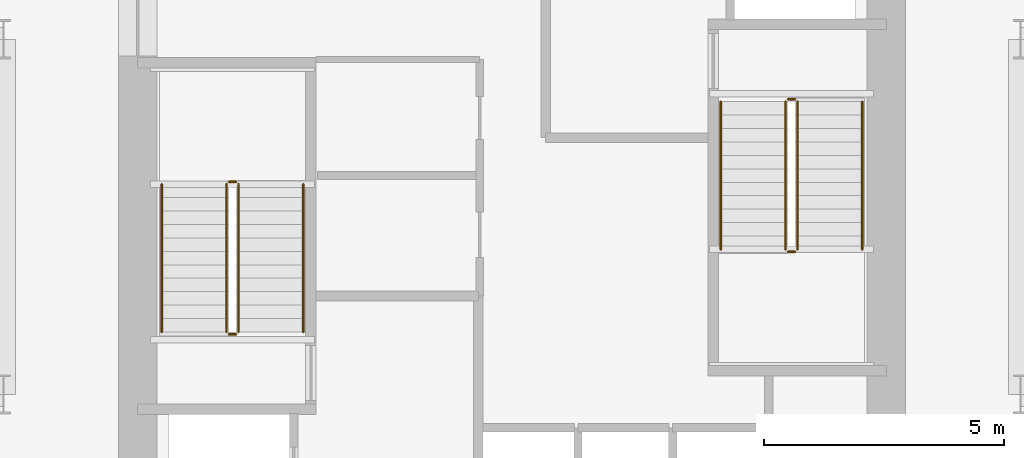
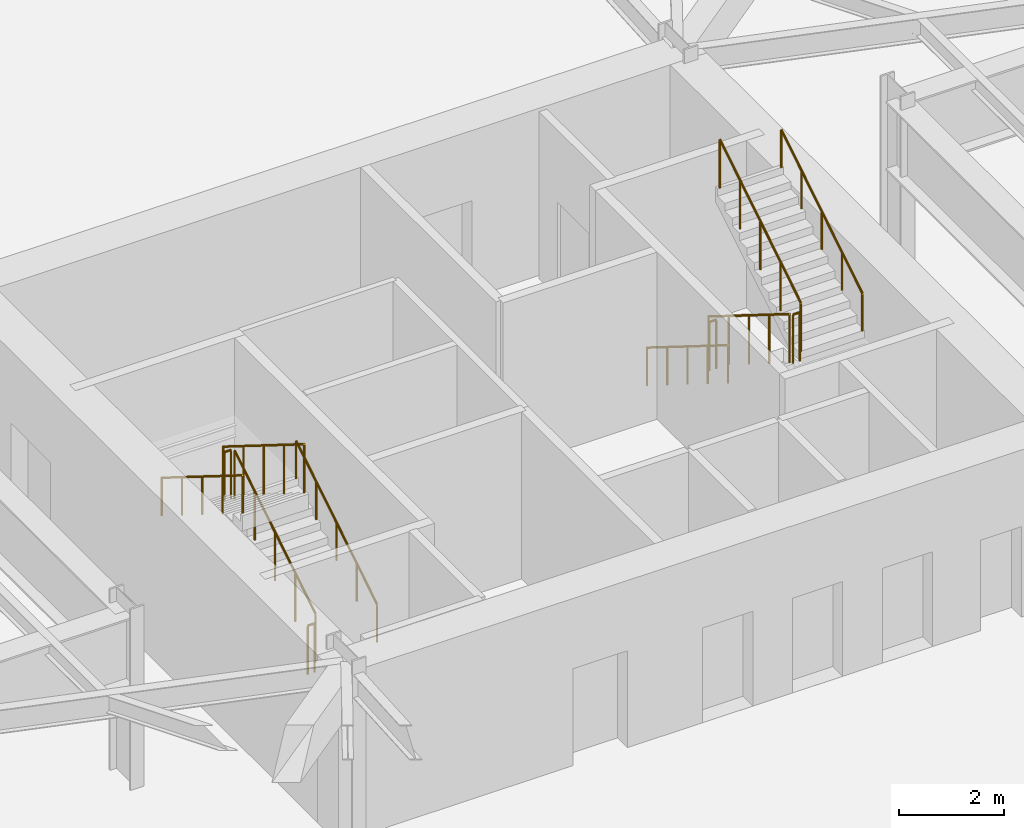
# One storey, part 10 of 12: 12 railings.
"""IFC4 building model written with IfcOpenShell, lengths in metres."""

from ifc_helpers import new_model, si_unit, direction, frame, origin, origin_2d, place, context, subcontext, project, spatial, circle, extrude, material, type_object, element, save


model = new_model("IFC4")

# Units and contexts
model_context = context("Model", 3, precision=1e-05, world=origin(), true_north=direction((0.0, 1.0)))
body_context = subcontext(model_context, "Body", "Model", "MODEL_VIEW")
ifc_project = project(units=[si_unit("LENGTHUNIT", "METRE"), si_unit("AREAUNIT", "SQUARE_METRE"), si_unit("VOLUMEUNIT", "CUBIC_METRE"), si_unit("PLANEANGLEUNIT", "RADIAN"), si_unit("MASSUNIT", "GRAM", prefix="KILO")], contexts=[model_context])

# Site, building, storey
site_placement = place(None, origin())
site = spatial("IfcSite", under=ifc_project, at=site_placement, CompositionType="ELEMENT")
building_placement = place(site_placement, origin())
building = spatial("IfcBuilding", under=site, at=building_placement, Name="Kranzbogen Civic Tower", CompositionType="ELEMENT")
storey_placement = place(building_placement, frame((0.0, 0.0, -4.199951171875)))
storey = spatial("IfcBuildingStorey", under=building, at=storey_placement, Name="B01", CompositionType="ELEMENT", Elevation=-4.199951171875)

# Railings
ifc_material_1 = material(Name="Steel S355", Category="steel")
railing_type_1 = type_object("IfcRailingType", Name="Internal Stair and Void Steel Guardrail 1150", PredefinedType="GUARDRAIL", material=ifc_material_1)
railing_1_placement = place(storey_placement, frame((19.300048828125, 22.60009765625, 0.175048828125)))
element("IfcRailing", 1, at=railing_1_placement, inside=storey, type_object=railing_type_1, Name="B01 ST-T1 stair guard 1", PredefinedType="GUARDRAIL", context=body_context, shape_type="SweptSolid", body=[
    extrude(circle(Radius=0.02392578125, at=origin_2d()), frame((0.0, 0.0, 1.1259765625), z_axis=(0.0, 0.848009633417, 0.529980812513), x_axis=(-1.0, 0.0, 0.0)), (0.0, 0.0, 1.0), 3.6318359375),
    extrude(circle(Radius=0.02099609375, at=origin_2d()), origin(), (0.0, 0.0, 1.0), 1.101806640625),
    extrude(circle(Radius=0.02099609375, at=origin_2d()), frame((0.0, 0.77001953125, 0.481201171875)), (0.0, 0.0, 1.0), 1.101806640625),
    extrude(circle(Radius=0.02099609375, at=origin_2d()), frame((0.0, 1.5400390625, 0.96240234375)), (0.0, 0.0, 1.0), 1.101806640625),
    extrude(circle(Radius=0.02099609375, at=origin_2d()), frame((0.0, 2.309814453125, 1.443603515625)), (0.0, 0.0, 1.0), 1.101806640625),
    extrude(circle(Radius=0.02099609375, at=origin_2d()), frame((0.0, 3.079833984375, 1.9248046875)), (0.0, 0.0, 1.0), 1.101806640625),
])
railing_2_placement = place(storey_placement, frame((19.25, 25.72998046875, 2.099853515625)))
element("IfcRailing", 2, at=railing_2_placement, inside=storey, type_object=railing_type_1, Name="B01 ST-T1 stair guard 2", PredefinedType="GUARDRAIL", context=body_context, shape_type="SweptSolid", body=[
    extrude(circle(Radius=0.02392578125, at=origin_2d()), frame((0.0, 0.0, 1.1259765625), z_axis=(-1.0, 0.0, 0.0), x_axis=(0.0, -1.0, 0.0)), (0.0, 0.0, 1.0), 0.14990234375),
    extrude(circle(Radius=0.02099609375, at=origin_2d()), origin(), (0.0, 0.0, 1.0), 1.101806640625),
    extrude(circle(Radius=0.02099609375, at=origin_2d()), frame((-0.14990234375, 0.0, 0.0)), (0.0, 0.0, 1.0), 1.101806640625),
])
railing_3_placement = place(storey_placement, frame((19.050048828125, 25.679931640625, 2.27490234375)))
element("IfcRailing", 3, at=railing_3_placement, inside=storey, type_object=railing_type_1, Name="B01 ST-T1 stair guard 3", PredefinedType="GUARDRAIL", context=body_context, shape_type="SweptSolid", body=[
    extrude(circle(Radius=0.02392578125, at=origin_2d()), frame((0.0, 0.0, 1.1259765625), z_axis=(0.0, -0.847979421464, 0.530029150871), x_axis=(1.0, 0.0, 0.0)), (0.0, 0.0, 1.0), 3.632080078125),
    extrude(circle(Radius=0.02099609375, at=origin_2d()), origin(), (0.0, 0.0, 1.0), 1.101806640625),
    extrude(circle(Radius=0.02099609375, at=origin_2d()), frame((0.0, -0.77001953125, 0.481201171875)), (0.0, 0.0, 1.0), 1.101806640625),
    extrude(circle(Radius=0.02099609375, at=origin_2d()), frame((0.0, -1.5400390625, 0.96240234375)), (0.0, 0.0, 1.0), 1.101806640625),
    extrude(circle(Radius=0.02099609375, at=origin_2d()), frame((0.0, -2.309814453125, 1.44384765625)), (0.0, 0.0, 1.0), 1.101806640625),
    extrude(circle(Radius=0.02099609375, at=origin_2d()), frame((0.0, -3.079833984375, 1.925048828125)), (0.0, 0.0, 1.0), 1.101806640625),
])
railing_4_placement = place(storey_placement, frame((19.25, 22.550048828125, 0.0)))
element("IfcRailing", 4, at=railing_4_placement, inside=storey, type_object=railing_type_1, Name="B01 ST-T1 stair guard 4", PredefinedType="GUARDRAIL", context=body_context, shape_type="SweptSolid", body=[
    extrude(circle(Radius=0.02392578125, at=origin_2d()), frame((0.0, 0.0, 1.1259765625), z_axis=(-1.0, 0.0, 0.0), x_axis=(0.0, -1.0, 0.0)), (0.0, 0.0, 1.0), 0.14990234375),
    extrude(circle(Radius=0.02099609375, at=origin_2d()), origin(), (0.0, 0.0, 1.0), 1.101806640625),
    extrude(circle(Radius=0.02099609375, at=origin_2d()), frame((-0.14990234375, 0.0, 0.0)), (0.0, 0.0, 1.0), 1.101806640625),
])
railing_5_placement = place(storey_placement, frame((30.699951171875, 27.39990234375, 0.175048828125)))
element("IfcRailing", 5, at=railing_5_placement, inside=storey, type_object=railing_type_1, Name="B01 ST-T2 stair guard 1", PredefinedType="GUARDRAIL", context=body_context, shape_type="SweptSolid", body=[
    extrude(circle(Radius=0.02392578125, at=origin_2d()), frame((0.0, 0.0, 1.1259765625), z_axis=(0.0, -0.848009633417, 0.529980812513), x_axis=(1.0, 0.0, 0.0)), (0.0, 0.0, 1.0), 3.6318359375),
    extrude(circle(Radius=0.02099609375, at=origin_2d()), origin(), (0.0, 0.0, 1.0), 1.101806640625),
    extrude(circle(Radius=0.02099609375, at=origin_2d()), frame((0.0, -0.77001953125, 0.481201171875)), (0.0, 0.0, 1.0), 1.101806640625),
    extrude(circle(Radius=0.02099609375, at=origin_2d()), frame((0.0, -1.5400390625, 0.96240234375)), (0.0, 0.0, 1.0), 1.101806640625),
    extrude(circle(Radius=0.02099609375, at=origin_2d()), frame((0.0, -2.309814453125, 1.443603515625)), (0.0, 0.0, 1.0), 1.101806640625),
    extrude(circle(Radius=0.02099609375, at=origin_2d()), frame((0.0, -3.079833984375, 1.9248046875)), (0.0, 0.0, 1.0), 1.101806640625),
])
railing_6_placement = place(storey_placement, frame((30.75, 24.27001953125, 2.099853515625)))
element("IfcRailing", 6, at=railing_6_placement, inside=storey, type_object=railing_type_1, Name="B01 ST-T2 stair guard 2", PredefinedType="GUARDRAIL", context=body_context, shape_type="SweptSolid", body=[
    extrude(circle(Radius=0.02392578125, at=origin_2d()), frame((0.0, 0.0, 1.1259765625), z_axis=(1.0, 0.0, 0.0), x_axis=(0.0, 1.0, 0.0)), (0.0, 0.0, 1.0), 0.14990234375),
    extrude(circle(Radius=0.02099609375, at=origin_2d()), origin(), (0.0, 0.0, 1.0), 1.101806640625),
    extrude(circle(Radius=0.02099609375, at=origin_2d()), frame((0.14990234375, 0.0, 0.0)), (0.0, 0.0, 1.0), 1.101806640625),
])
railing_7_placement = place(storey_placement, frame((30.949951171875, 24.320068359375, 2.27490234375)))
element("IfcRailing", 7, at=railing_7_placement, inside=storey, type_object=railing_type_1, Name="B01 ST-T2 stair guard 3", PredefinedType="GUARDRAIL", context=body_context, shape_type="SweptSolid", body=[
    extrude(circle(Radius=0.02392578125, at=origin_2d()), frame((0.0, 0.0, 1.1259765625), z_axis=(0.0, 0.847979421464, 0.530029150871), x_axis=(-1.0, 0.0, 0.0)), (0.0, 0.0, 1.0), 3.632080078125),
    extrude(circle(Radius=0.02099609375, at=origin_2d()), origin(), (0.0, 0.0, 1.0), 1.101806640625),
    extrude(circle(Radius=0.02099609375, at=origin_2d()), frame((0.0, 0.77001953125, 0.481201171875)), (0.0, 0.0, 1.0), 1.101806640625),
    extrude(circle(Radius=0.02099609375, at=origin_2d()), frame((0.0, 1.5400390625, 0.96240234375)), (0.0, 0.0, 1.0), 1.101806640625),
    extrude(circle(Radius=0.02099609375, at=origin_2d()), frame((0.0, 2.309814453125, 1.44384765625)), (0.0, 0.0, 1.0), 1.101806640625),
    extrude(circle(Radius=0.02099609375, at=origin_2d()), frame((0.0, 3.079833984375, 1.925048828125)), (0.0, 0.0, 1.0), 1.101806640625),
])
railing_8_placement = place(storey_placement, frame((30.75, 27.449951171875, 0.0)))
element("IfcRailing", 8, at=railing_8_placement, inside=storey, type_object=railing_type_1, Name="B01 ST-T2 stair guard 4", PredefinedType="GUARDRAIL", context=body_context, shape_type="SweptSolid", body=[
    extrude(circle(Radius=0.02392578125, at=origin_2d()), frame((0.0, 0.0, 1.1259765625), z_axis=(1.0, 0.0, 0.0), x_axis=(0.0, 1.0, 0.0)), (0.0, 0.0, 1.0), 0.14990234375),
    extrude(circle(Radius=0.02099609375, at=origin_2d()), origin(), (0.0, 0.0, 1.0), 1.101806640625),
    extrude(circle(Radius=0.02099609375, at=origin_2d()), frame((0.14990234375, 0.0, 0.0)), (0.0, 0.0, 1.0), 1.101806640625),
])
ifc_material_2 = material(Name="Pale Anodised Aluminium", Category="aluminium")
railing_type_2 = type_object("IfcRailingType", Name="Tubular Stainless Stair Wall Handrail 900", PredefinedType="HANDRAIL", material=ifc_material_2)
railing_9_placement = place(storey_placement, frame((20.64990234375, 22.60009765625, 0.175048828125)))
element("IfcRailing", 9, at=railing_9_placement, inside=storey, type_object=railing_type_2, Name="B01 ST-T1 stair handrail 1", PredefinedType="HANDRAIL", context=body_context, shape_type="SweptSolid", body=[
    extrude(circle(Radius=0.02392578125, at=origin_2d()), frame((0.0, 0.0, 0.8759765625), z_axis=(0.0, 0.848009633417, 0.529980812513), x_axis=(-1.0, 0.0, 0.0)), (0.0, 0.0, 1.0), 3.6318359375),
    extrude(circle(Radius=0.02099609375, at=origin_2d()), origin(), (0.0, 0.0, 1.0), 0.851806640625),
    extrude(circle(Radius=0.02099609375, at=origin_2d()), frame((0.0, 0.77001953125, 0.481201171875)), (0.0, 0.0, 1.0), 0.851806640625),
    extrude(circle(Radius=0.02099609375, at=origin_2d()), frame((0.0, 1.5400390625, 0.96240234375)), (0.0, 0.0, 1.0), 0.851806640625),
    extrude(circle(Radius=0.02099609375, at=origin_2d()), frame((0.0, 2.309814453125, 1.443603515625)), (0.0, 0.0, 1.0), 0.851806640625),
    extrude(circle(Radius=0.02099609375, at=origin_2d()), frame((0.0, 3.079833984375, 1.9248046875)), (0.0, 0.0, 1.0), 0.851806640625),
])
railing_10_placement = place(storey_placement, frame((17.699951171875, 25.679931640625, 2.27490234375)))
element("IfcRailing", 10, at=railing_10_placement, inside=storey, type_object=railing_type_2, Name="B01 ST-T1 stair handrail 2", PredefinedType="HANDRAIL", context=body_context, shape_type="SweptSolid", body=[
    extrude(circle(Radius=0.02392578125, at=origin_2d()), frame((0.0, 0.0, 0.8759765625), z_axis=(0.0, -0.847979421464, 0.530029150871), x_axis=(1.0, 0.0, 0.0)), (0.0, 0.0, 1.0), 3.632080078125),
    extrude(circle(Radius=0.02099609375, at=origin_2d()), origin(), (0.0, 0.0, 1.0), 0.851806640625),
    extrude(circle(Radius=0.02099609375, at=origin_2d()), frame((0.0, -0.77001953125, 0.481201171875)), (0.0, 0.0, 1.0), 0.851806640625),
    extrude(circle(Radius=0.02099609375, at=origin_2d()), frame((0.0, -1.5400390625, 0.96240234375)), (0.0, 0.0, 1.0), 0.851806640625),
    extrude(circle(Radius=0.02099609375, at=origin_2d()), frame((0.0, -2.309814453125, 1.44384765625)), (0.0, 0.0, 1.0), 0.851806640625),
    extrude(circle(Radius=0.02099609375, at=origin_2d()), frame((0.0, -3.079833984375, 1.925048828125)), (0.0, 0.0, 1.0), 0.851806640625),
])
railing_11_placement = place(storey_placement, frame((29.35009765625, 27.39990234375, 0.175048828125)))
element("IfcRailing", 11, at=railing_11_placement, inside=storey, type_object=railing_type_2, Name="B01 ST-T2 stair handrail 1", PredefinedType="HANDRAIL", context=body_context, shape_type="SweptSolid", body=[
    extrude(circle(Radius=0.02392578125, at=origin_2d()), frame((0.0, 0.0, 0.8759765625), z_axis=(0.0, -0.848009633417, 0.529980812513), x_axis=(1.0, 0.0, 0.0)), (0.0, 0.0, 1.0), 3.6318359375),
    extrude(circle(Radius=0.02099609375, at=origin_2d()), origin(), (0.0, 0.0, 1.0), 0.851806640625),
    extrude(circle(Radius=0.02099609375, at=origin_2d()), frame((0.0, -0.77001953125, 0.481201171875)), (0.0, 0.0, 1.0), 0.851806640625),
    extrude(circle(Radius=0.02099609375, at=origin_2d()), frame((0.0, -1.5400390625, 0.96240234375)), (0.0, 0.0, 1.0), 0.851806640625),
    extrude(circle(Radius=0.02099609375, at=origin_2d()), frame((0.0, -2.309814453125, 1.443603515625)), (0.0, 0.0, 1.0), 0.851806640625),
    extrude(circle(Radius=0.02099609375, at=origin_2d()), frame((0.0, -3.079833984375, 1.9248046875)), (0.0, 0.0, 1.0), 0.851806640625),
])
railing_12_placement = place(storey_placement, frame((32.300048828125, 24.320068359375, 2.27490234375)))
element("IfcRailing", 12, at=railing_12_placement, inside=storey, type_object=railing_type_2, Name="B01 ST-T2 stair handrail 2", PredefinedType="HANDRAIL", context=body_context, shape_type="SweptSolid", body=[
    extrude(circle(Radius=0.02392578125, at=origin_2d()), frame((0.0, 0.0, 0.8759765625), z_axis=(0.0, 0.847979421464, 0.530029150871), x_axis=(-1.0, 0.0, 0.0)), (0.0, 0.0, 1.0), 3.632080078125),
    extrude(circle(Radius=0.02099609375, at=origin_2d()), origin(), (0.0, 0.0, 1.0), 0.851806640625),
    extrude(circle(Radius=0.02099609375, at=origin_2d()), frame((0.0, 0.77001953125, 0.481201171875)), (0.0, 0.0, 1.0), 0.851806640625),
    extrude(circle(Radius=0.02099609375, at=origin_2d()), frame((0.0, 1.5400390625, 0.96240234375)), (0.0, 0.0, 1.0), 0.851806640625),
    extrude(circle(Radius=0.02099609375, at=origin_2d()), frame((0.0, 2.309814453125, 1.44384765625)), (0.0, 0.0, 1.0), 0.851806640625),
    extrude(circle(Radius=0.02099609375, at=origin_2d()), frame((0.0, 3.079833984375, 1.925048828125)), (0.0, 0.0, 1.0), 0.851806640625),
])

save(model, "model.ifc")
